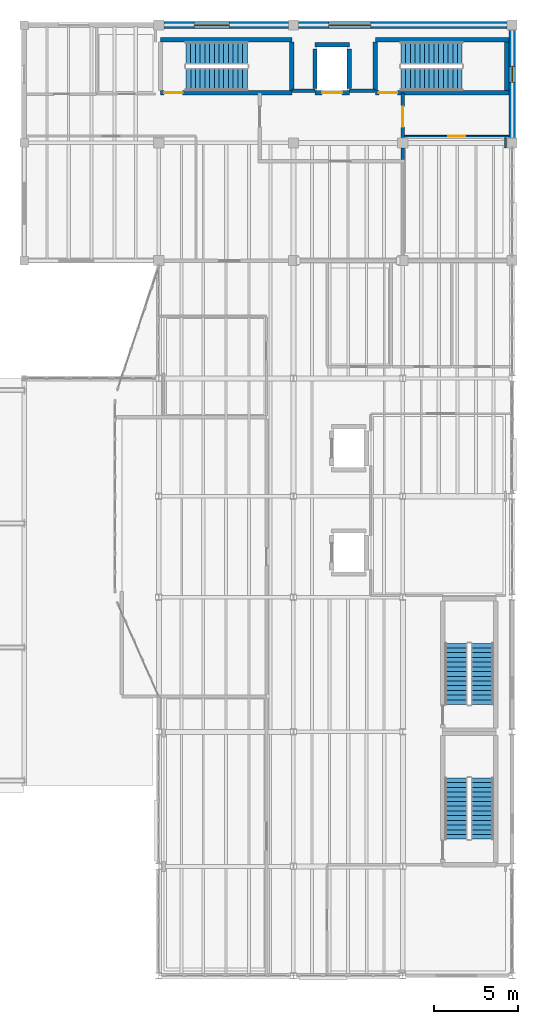
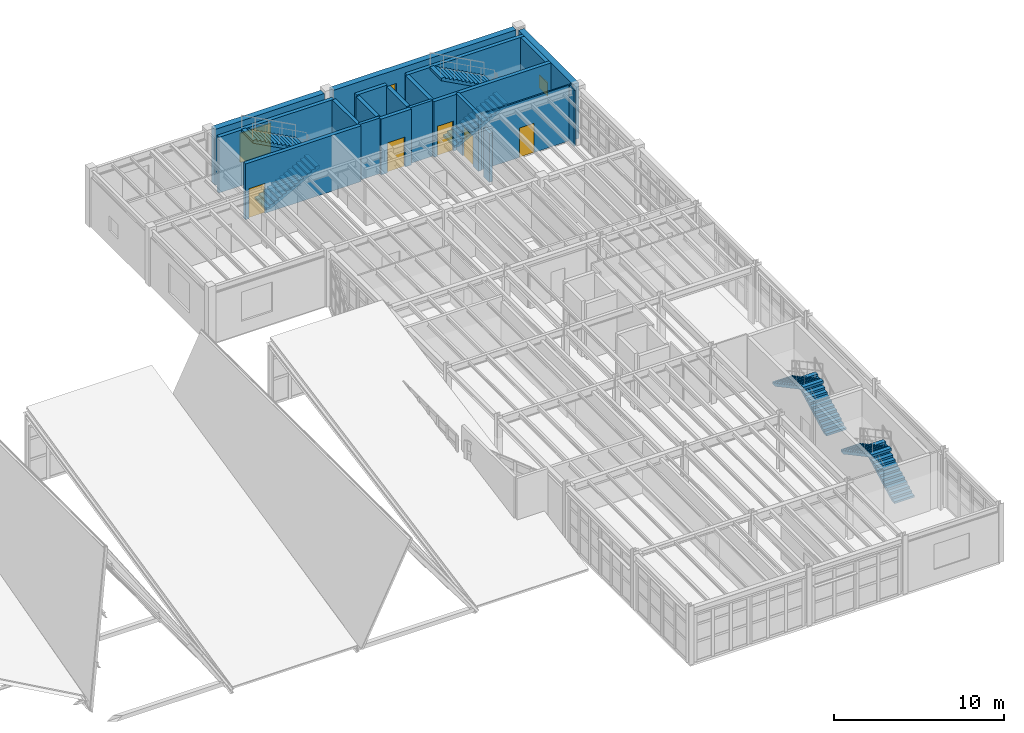
# One storey, part 74 of 77: 20 walls, 8 stair flights, 5 doors, 3 windows, 8 openings, 4 elements without a shape of their own.
"""IFC4 building model written with IfcOpenShell, lengths in metres."""

from ifc_helpers import new_model, si_unit, direction, frame, frame_2d, origin, place, context, subcontext, project, spatial, polyline, rectangle, outline, extrude, material, layer, layer_set, type_object, element, fill, aggregate, save


model = new_model("IFC4")

# Units and contexts
model_context = context("Model", 3, precision=1e-05, world=origin(), true_north=direction((0.0, 1.0)))
body_context = subcontext(model_context, "Body", "Model", "MODEL_VIEW")
ifc_project = project(units=[si_unit("LENGTHUNIT", "METRE"), si_unit("AREAUNIT", "SQUARE_METRE"), si_unit("VOLUMEUNIT", "CUBIC_METRE"), si_unit("PLANEANGLEUNIT", "RADIAN"), si_unit("MASSUNIT", "GRAM", prefix="KILO"), si_unit("THERMODYNAMICTEMPERATUREUNIT", "KELVIN"), si_unit("POWERUNIT", "WATT")], contexts=[model_context])

# Site, building, storey
site_placement = place(None, origin())
site = spatial("IfcSite", under=ifc_project, at=site_placement, CompositionType="ELEMENT")
building_placement = place(site_placement, origin())
building = spatial("IfcBuilding", under=site, at=building_placement, Name="Zhenchuan Central Fire Station", CompositionType="ELEMENT")
storey_placement = place(building_placement, frame((0.0, 0.0, 10.050048828125)))
storey = spatial("IfcBuildingStorey", under=building, at=storey_placement, Name="L03", CompositionType="ELEMENT", Elevation=10.050048828125)

# Wall, opening, window
ifc_material_1 = material(Name="Concrete C40/50", Category="concrete")
ifc_layer_1 = layer(ifc_material_1, 0.39990234375, Name="Concrete C40/50", Category="concrete")
ifc_layer_set_1 = layer_set([ifc_layer_1], Name="Concrete C40/50")
wall_type_1 = type_object("IfcWallType", Name="EW-RC400", PredefinedType="SHEAR", material=ifc_layer_set_1)
wall_1_placement = place(storey_placement, frame((140.300048828125, 56.5, 0.0), z_axis=(0.0, 0.0, 1.0), x_axis=(1.0, 0.0, 0.0)))
wall_1 = element("IfcWall", 1, at=wall_1_placement, inside=storey, type_object=wall_type_1, Name="EW-L03-V6N-1", PredefinedType="SHEAR", context=body_context, shape_type="SweptSolid", body=[
    extrude(rectangle(XDim=7.39990234375, YDim=0.39990234375, at=frame_2d((3.699951171875, 0.0))), origin(), (0.0, 0.0, 1.0), 4.0),
])
opening_1_placement = place(wall_1_placement, frame((1.800048828125, 0.0, 0.89990234375)))
opening_1 = element("IfcOpeningElement", 2, at=opening_1_placement, cuts=wall_1, Name="Opening W-36", PredefinedType="OPENING", context=body_context, shape_type="SweptSolid", body=[
    extrude(rectangle(XDim=2.10009765625, YDim=2.10009765625, at=frame_2d((1.050048828125, 1.050048828125))), frame((0.0, 0.2099609375, 0.0), z_axis=(0.0, -1.0, 0.0), x_axis=(1.0, 0.0, 0.0)), (0.0, 0.0, 1.0), 0.419921875),
])
ifc_material_2 = material(Name="Laminated low-E double glazing in aluminium frame", Category="aluminium")
window_type_1 = type_object("IfcWindowType", Name="WN-36", PartitioningType="SINGLE_PANEL", PredefinedType="WINDOW", material=ifc_material_2)
window_1_placement = place(opening_1_placement, origin())
window_1 = element("IfcWindow", 3, at=window_1_placement, inside=storey, type_object=window_type_1, Name="Exterior Window 0114", OverallHeight=2.10009765625, OverallWidth=2.10009765625, PartitioningType="SINGLE_PANEL", PredefinedType="WINDOW", context=body_context, shape_type="SweptSolid", body=[
    extrude(rectangle(XDim=2.10009765625, YDim=2.10009765625, at=frame_2d((1.050048828125, 1.050048828125))), frame((0.0, 0.030029296875, 0.0), z_axis=(0.0, -1.0, 0.0), x_axis=(1.0, 0.0, 0.0)), (0.0, 0.0, 1.0), 0.06005859375),
])
fill(opening_1, window_1)

wall_2_placement = place(storey_placement, frame((148.300048828125, 56.5, 0.0), z_axis=(0.0, 0.0, 1.0), x_axis=(1.0, 0.0, 0.0)))
wall_2 = element("IfcWall", 4, at=wall_2_placement, inside=storey, type_object=wall_type_1, Name="EW-L03-V6N-2", PredefinedType="SHEAR", context=body_context, shape_type="SweptSolid", body=[
    extrude(rectangle(XDim=12.39990234375, YDim=0.39990234375, at=frame_2d((6.199951171875, 0.0))), origin(), (0.0, 0.0, 1.0), 4.0),
])
opening_2_placement = place(wall_2_placement, frame((1.800048828125, 0.0, 0.89990234375)))
opening_2 = element("IfcOpeningElement", 5, at=opening_2_placement, cuts=wall_2, Name="Opening W-37", PredefinedType="OPENING", context=body_context, shape_type="SweptSolid", body=[
    extrude(rectangle(XDim=2.5, YDim=2.10009765625, at=frame_2d((1.25, 1.050048828125))), frame((0.0, 0.2099609375, 0.0), z_axis=(0.0, -1.0, 0.0), x_axis=(1.0, 0.0, 0.0)), (0.0, 0.0, 1.0), 0.419921875),
])
window_type_2 = type_object("IfcWindowType", Name="WN-37", PartitioningType="SINGLE_PANEL", PredefinedType="WINDOW", material=ifc_material_2)
window_2_placement = place(opening_2_placement, origin())
window_2 = element("IfcWindow", 6, at=window_2_placement, inside=storey, type_object=window_type_2, Name="Exterior Window 0115", OverallHeight=2.10009765625, OverallWidth=2.5, PartitioningType="SINGLE_PANEL", PredefinedType="WINDOW", context=body_context, shape_type="SweptSolid", body=[
    extrude(rectangle(XDim=2.5, YDim=2.10009765625, at=frame_2d((1.25, 1.050048828125))), frame((0.0, 0.030029296875, 0.0), z_axis=(0.0, -1.0, 0.0), x_axis=(1.0, 0.0, 0.0)), (0.0, 0.0, 1.0), 0.06005859375),
])
fill(opening_2, window_2)

wall_3_placement = place(storey_placement, frame((161.0, 49.800048828125, 0.0), z_axis=(0.0, 0.0, 1.0), x_axis=(0.0, 1.0, 0.0)))
wall_3 = element("IfcWall", 7, at=wall_3_placement, inside=storey, type_object=wall_type_1, Name="EW-L03-V6E-1", PredefinedType="SHEAR", context=body_context, shape_type="SweptSolid", body=[
    extrude(rectangle(XDim=6.39990234375, YDim=0.39990234375, at=frame_2d((3.199951171875, 0.0))), origin(), (0.0, 0.0, 1.0), 4.0),
])
opening_3_placement = place(wall_3_placement, frame((3.300048828125, 0.0, 1.10009765625)))
opening_3 = element("IfcOpeningElement", 8, at=opening_3_placement, cuts=wall_3, Name="Opening W-04", PredefinedType="OPENING", context=body_context, shape_type="SweptSolid", body=[
    extrude(rectangle(XDim=0.949951171875, YDim=0.949951171875, at=frame_2d((0.47509765625, 0.47509765625))), frame((0.0, 0.2099609375, 0.0), z_axis=(0.0, -1.0, 0.0), x_axis=(1.0, 0.0, 0.0)), (0.0, 0.0, 1.0), 0.419921875),
])
window_type_3 = type_object("IfcWindowType", Name="WN-04", PartitioningType="SINGLE_PANEL", PredefinedType="WINDOW", material=ifc_material_2)
window_3_placement = place(opening_3_placement, origin())
window_3 = element("IfcWindow", 9, at=window_3_placement, inside=storey, type_object=window_type_3, Name="Exterior Window 0116", OverallHeight=0.949951171875, OverallWidth=0.949951171875, PartitioningType="SINGLE_PANEL", PredefinedType="WINDOW", context=body_context, shape_type="SweptSolid", body=[
    extrude(rectangle(XDim=0.949951171875, YDim=0.949951171875, at=frame_2d((0.47509765625, 0.47509765625))), frame((0.0, 0.030029296875, 0.0), z_axis=(0.0, -1.0, 0.0), x_axis=(1.0, 0.0, 0.0)), (0.0, 0.0, 1.0), 0.06005859375),
])
fill(opening_3, window_3)

# Walls
ifc_material_3 = material(Name="Autoclaved aerated concrete blockwork", Category="masonry")
ifc_layer_2 = layer(ifc_material_3, 0.199951171875, Name="Autoclaved aerated concrete blockwork", Category="masonry")
ifc_layer_set_2 = layer_set([ifc_layer_2], Name="Autoclaved aerated concrete blockwork")
wall_type_2 = type_object("IfcWallType", Name="IW-FIR200", PredefinedType="PARTITIONING", material=ifc_layer_set_2)
wall_4_placement = place(storey_placement, frame((147.908935546875, 52.60009765625, 0.0), z_axis=(0.0, 0.0, 1.0), x_axis=(1.0, 0.0, 0.0)))
element("IfcWall", 10, at=wall_4_placement, inside=storey, type_object=wall_type_2, Name="L03 Firefighting Lobby North-West Infill Wall", PredefinedType="PARTITIONING", context=body_context, shape_type="SweptSolid", body=[
    extrude(rectangle(XDim=1.362060546875, YDim=0.199951171875, at=frame_2d((0.68115234375, 0.0))), origin(), (0.0, 0.0, 1.0), 4.0),
])
wall_5_placement = place(storey_placement, frame((151.3291015625, 52.60009765625, 0.0), z_axis=(0.0, 0.0, 1.0), x_axis=(1.0, 0.0, 0.0)))
element("IfcWall", 11, at=wall_5_placement, inside=storey, type_object=wall_type_2, Name="L03 Firefighting Lobby North-East Infill Wall", PredefinedType="PARTITIONING", context=body_context, shape_type="SweptSolid", body=[
    extrude(rectangle(XDim=1.531982421875, YDim=0.199951171875, at=frame_2d((0.76611328125, 0.0))), origin(), (0.0, 0.0, 1.0), 4.0),
])
wall_6_placement = place(storey_placement, frame((154.5, 48.50390625, 0.0), z_axis=(0.0, 0.0, 1.0), x_axis=(0.0, 1.0, 0.0)))
element("IfcWall", 12, at=wall_6_placement, inside=storey, type_object=wall_type_2, Name="L03 Firefighting Lift Lobby South-East Pier Wall", PredefinedType="PARTITIONING", context=body_context, shape_type="SweptSolid", body=[
    extrude(rectangle(XDim=0.692138671875, YDim=0.199951171875, at=frame_2d((0.34619140625, 0.0))), origin(), (0.0, 0.0, 1.0), 3.493896484375),
])

# Wall, opening, door
wall_7_placement = place(storey_placement, frame((154.5, 49.803955078125, 0.0), z_axis=(0.0, 0.0, 1.0), x_axis=(0.0, 1.0, 0.0)))
wall_7 = element("IfcWall", 13, at=wall_7_placement, inside=storey, type_object=wall_type_2, Name="L03 Firefighting Lift Lobby East Wall", PredefinedType="PARTITIONING", context=body_context, shape_type="SweptSolid", body=[
    extrude(rectangle(XDim=2.6669921875, YDim=0.199951171875, at=frame_2d((1.33349609375, 0.0))), origin(), (0.0, 0.0, 1.0), 4.0),
])
opening_4_placement = place(wall_7_placement, frame((0.64599609375, 0.0, 0.0)))
opening_4 = element("IfcOpeningElement", 14, at=opening_4_placement, cuts=wall_7, Name="Opening D-056", PredefinedType="OPENING", context=body_context, shape_type="SweptSolid", body=[
    extrude(rectangle(XDim=1.199951171875, YDim=2.14990234375, at=frame_2d((0.60009765625, 1.074951171875))), frame((0.0, 0.10986328125, 0.0), z_axis=(0.0, -1.0, 0.0), x_axis=(1.0, 0.0, 0.0)), (0.0, 0.0, 1.0), 0.219970703125),
])
ifc_material_4 = material(Name="Smoke-sealed steel fire lobby door", Category="steel")
door_type_1 = type_object("IfcDoorType", Name="ID-FFL-120x215", OperationType="NOTDEFINED", PredefinedType="DOOR", material=ifc_material_4)
door_1_placement = place(opening_4_placement, origin())
door_1 = element("IfcDoor", 15, at=door_1_placement, inside=storey, type_object=door_type_1, Name="L03 Firefighting Lift Lobby East Door", OperationType="SINGLE_SWING_RIGHT", OverallHeight=2.14990234375, OverallWidth=1.199951171875, PredefinedType="DOOR", context=body_context, shape_type="SweptSolid", body=[
    extrude(rectangle(XDim=1.199951171875, YDim=2.14990234375, at=frame_2d((0.60009765625, 1.074951171875))), frame((0.0, 0.02490234375, 0.0), z_axis=(0.0, -1.0, 0.0), x_axis=(1.0, 0.0, 0.0)), (0.0, 0.0, 1.0), 0.050048828125),
])
fill(opening_4, door_1)

ifc_material_5 = material(Name="Gypsum plasterboard on steel studs", Category="gypsum")
ifc_layer_3 = layer(ifc_material_5, 0.10009765625, Name="Gypsum plasterboard on steel studs", Category="gypsum")
ifc_layer_set_3 = layer_set([ifc_layer_3], Name="Gypsum plasterboard on steel studs")
wall_type_3 = type_object("IfcWallType", Name="IW-GYP100", PredefinedType="PARTITIONING", material=ifc_layer_set_3)
wall_8_placement = place(storey_placement, frame((154.60302734375, 49.89990234375, 0.0), z_axis=(0.0, 0.0, 1.0), x_axis=(1.0, 0.0, 0.0)))
wall_8 = element("IfcWall", 16, at=wall_8_placement, inside=storey, type_object=wall_type_3, Name="Standpipe Riser Tactical Bay N Partition", PredefinedType="PARTITIONING", context=body_context, shape_type="SweptSolid", body=[
    extrude(rectangle(XDim=6.194091796875, YDim=0.10009765625, at=frame_2d((3.09716796875, 0.0))), origin(), (0.0, 0.0, 1.0), 4.0),
])
opening_5_placement = place(wall_8_placement, frame((2.596923828125, 0.0, 0.0)))
opening_5 = element("IfcOpeningElement", 17, at=opening_5_placement, cuts=wall_8, Name="Opening D-168", PredefinedType="OPENING", context=body_context, shape_type="SweptSolid", body=[
    extrude(rectangle(XDim=1.0, YDim=2.10009765625, at=frame_2d((0.5, 1.050048828125))), frame((0.0, 0.06005859375, 0.0), z_axis=(0.0, -1.0, 0.0), x_axis=(1.0, 0.0, 0.0)), (0.0, 0.0, 1.0), 0.1201171875),
])
ifc_material_6 = material(Name="Solid-core timber office door", Category="wood")
door_type_2 = type_object("IfcDoorType", Name="ID-OFF-100x210", OperationType="NOTDEFINED", PredefinedType="DOOR", material=ifc_material_6)
door_2_placement = place(opening_5_placement, origin())
door_2 = element("IfcDoor", 18, at=door_2_placement, inside=storey, type_object=door_type_2, Name="Standpipe Riser Tactical Bay Door", OperationType="SINGLE_SWING_RIGHT", OverallHeight=2.10009765625, OverallWidth=1.0, PredefinedType="DOOR", context=body_context, shape_type="SweptSolid", body=[
    extrude(rectangle(XDim=1.0, YDim=2.10009765625, at=frame_2d((0.5, 1.050048828125))), frame((0.0, 0.02490234375, 0.0), z_axis=(0.0, -1.0, 0.0), x_axis=(1.0, 0.0, 0.0)), (0.0, 0.0, 1.0), 0.050048828125),
])
fill(opening_5, door_2)

# Wall
wall_9_placement = place(storey_placement, frame((160.60009765625, 49.202880859375, 0.0), z_axis=(0.0, 0.0, 1.0), x_axis=(0.0, 1.0, 0.0)))
element("IfcWall", 19, at=wall_9_placement, inside=storey, type_object=wall_type_3, Name="Standpipe Riser Tactical Bay E Partition", PredefinedType="PARTITIONING", context=body_context, shape_type="SweptSolid", body=[
    extrude(rectangle(XDim=0.59423828125, YDim=0.10009765625, at=frame_2d((0.297119140625, 0.0))), origin(), (0.0, 0.0, 1.0), 4.0),
])

# Wall, opening, door
ifc_layer_4 = layer(ifc_material_1, 0.25, Name="Concrete C40/50", Category="concrete")
ifc_layer_set_4 = layer_set([ifc_layer_4], Name="Concrete C40/50")
wall_type_4 = type_object("IfcWallType", Name="IW-SHR250", PredefinedType="SHEAR", material=ifc_layer_set_4)
wall_10_placement = place(storey_placement, frame((140.094970703125, 52.47509765625, 0.0), z_axis=(0.0, 0.0, 1.0), x_axis=(1.0, 0.0, 0.0)))
wall_10 = element("IfcWall", 20, at=wall_10_placement, inside=storey, type_object=wall_type_4, Name="ST-12 L03 South Core Wall", PredefinedType="SHEAR", context=body_context, shape_type="SweptSolid", body=[
    extrude(rectangle(XDim=7.81005859375, YDim=0.25, at=frame_2d((3.905029296875, 0.0))), origin(), (0.0, 0.0, 1.0), 4.0),
])
opening_6_placement = place(wall_10_placement, frame((0.219970703125, 0.0, 0.0)))
opening_6 = element("IfcOpeningElement", 21, at=opening_6_placement, cuts=wall_10, Name="Opening D-032", PredefinedType="OPENING", context=body_context, shape_type="SweptSolid", body=[
    extrude(rectangle(XDim=1.10009765625, YDim=2.14990234375, at=frame_2d((0.550048828125, 1.074951171875))), frame((0.0, 0.135009765625, 0.0), z_axis=(0.0, -1.0, 0.0), x_axis=(1.0, 0.0, 0.0)), (0.0, 0.0, 1.0), 0.27001953125),
])
ifc_material_7 = material(Name="Painted steel acoustic fire door", Category="steel")
door_type_3 = type_object("IfcDoorType", Name="ID-ST-110x215", OperationType="NOTDEFINED", PredefinedType="DOOR", material=ifc_material_7)
door_3_placement = place(opening_6_placement, frame((1.10009765625, 0.0, 0.0), z_axis=(0.0, 0.0, 1.0), x_axis=(-1.0, 0.0, 0.0)))
door_3 = element("IfcDoor", 22, at=door_3_placement, inside=storey, type_object=door_type_3, Name="ST-12 L03 Fire Door", OperationType="SINGLE_SWING_RIGHT", OverallHeight=2.14990234375, OverallWidth=1.10009765625, PredefinedType="DOOR", context=body_context, shape_type="SweptSolid", body=[
    extrude(rectangle(XDim=1.10009765625, YDim=2.14990234375, at=frame_2d((0.550048828125, 1.074951171875))), frame((0.0, 0.02490234375, 0.0), z_axis=(0.0, -1.0, 0.0), x_axis=(1.0, 0.0, 0.0)), (0.0, 0.0, 1.0), 0.050048828125),
])
fill(opening_6, door_3)

# Walls
wall_11_placement = place(storey_placement, frame((140.094970703125, 55.625, 0.0), z_axis=(0.0, 0.0, 1.0), x_axis=(1.0, 0.0, 0.0)))
element("IfcWall", 23, at=wall_11_placement, inside=storey, type_object=wall_type_4, Name="ST-12 L03 North Core Wall", PredefinedType="SHEAR", context=body_context, shape_type="SweptSolid", body=[
    extrude(rectangle(XDim=7.81005859375, YDim=0.25, at=frame_2d((3.905029296875, 0.0))), origin(), (0.0, 0.0, 1.0), 4.0),
])
wall_12_placement = place(storey_placement, frame((147.905029296875, 52.60009765625, 0.0), z_axis=(0.0, 0.0, 1.0), x_axis=(0.0, 1.0, 0.0)))
element("IfcWall", 24, at=wall_12_placement, inside=storey, type_object=wall_type_4, Name="ST-12 L03 East Core Wall", PredefinedType="SHEAR", context=body_context, shape_type="SweptSolid", body=[
    extrude(rectangle(XDim=2.89990234375, YDim=0.25, at=frame_2d((1.449951171875, 0.0))), origin(), (0.0, 0.0, 1.0), 4.0),
])

# Wall, opening, door
wall_13_placement = place(storey_placement, frame((152.864990234375, 52.47509765625, 0.0), z_axis=(0.0, 0.0, 1.0), x_axis=(1.0, 0.0, 0.0)))
wall_13 = element("IfcWall", 25, at=wall_13_placement, inside=storey, type_object=wall_type_4, Name="ST-13 L03 South Core Wall", PredefinedType="SHEAR", context=body_context, shape_type="SweptSolid", body=[
    extrude(rectangle(XDim=7.93505859375, YDim=0.25, at=frame_2d((3.967529296875, 0.0))), origin(), (0.0, 0.0, 1.0), 4.0),
])
opening_7_placement = place(wall_13_placement, frame((0.219970703125, 0.0, 0.0)))
opening_7 = element("IfcOpeningElement", 26, at=opening_7_placement, cuts=wall_13, Name="Opening D-038", PredefinedType="OPENING", context=body_context, shape_type="SweptSolid", body=[
    extrude(rectangle(XDim=1.10009765625, YDim=2.14990234375, at=frame_2d((0.550048828125, 1.074951171875))), frame((0.0, 0.135009765625, 0.0), z_axis=(0.0, -1.0, 0.0), x_axis=(1.0, 0.0, 0.0)), (0.0, 0.0, 1.0), 0.27001953125),
])
door_4_placement = place(opening_7_placement, frame((1.10009765625, 0.0, 0.0), z_axis=(0.0, 0.0, 1.0), x_axis=(-1.0, 0.0, 0.0)))
door_4 = element("IfcDoor", 27, at=door_4_placement, inside=storey, type_object=door_type_3, Name="ST-13 L03 Fire Door", OperationType="SINGLE_SWING_RIGHT", OverallHeight=2.14990234375, OverallWidth=1.10009765625, PredefinedType="DOOR", context=body_context, shape_type="SweptSolid", body=[
    extrude(rectangle(XDim=1.10009765625, YDim=2.14990234375, at=frame_2d((0.550048828125, 1.074951171875))), frame((0.0, 0.02490234375, 0.0), z_axis=(0.0, -1.0, 0.0), x_axis=(1.0, 0.0, 0.0)), (0.0, 0.0, 1.0), 0.050048828125),
])
fill(opening_7, door_4)

# Walls
wall_14_placement = place(storey_placement, frame((152.864990234375, 55.625, 0.0), z_axis=(0.0, 0.0, 1.0), x_axis=(1.0, 0.0, 0.0)))
element("IfcWall", 28, at=wall_14_placement, inside=storey, type_object=wall_type_4, Name="ST-13 L03 North Core Wall", PredefinedType="SHEAR", context=body_context, shape_type="SweptSolid", body=[
    extrude(rectangle(XDim=7.93505859375, YDim=0.25, at=frame_2d((3.967529296875, 0.0))), origin(), (0.0, 0.0, 1.0), 4.0),
])
for number, where, z_axis, x_axis, name in (
    (29, (152.864990234375, 52.60009765625, 0.0), (0.0, 0.0, 1.0), (0.0, 1.0, 0.0), "ST-13 L03 West Core Wall"),
    (30, (160.675048828125, 52.60009765625, 0.0), (0.0, 0.0, 1.0), (0.0, 1.0, 0.0), "ST-13 L03 East Core Wall"),
):
    element("IfcWall", number, at=place(storey_placement, frame(where, z_axis=z_axis, x_axis=x_axis)), inside=storey, type_object=wall_type_4, Name=name, PredefinedType="SHEAR", context=body_context, shape_type="SweptSolid", body=[
        extrude(rectangle(XDim=2.89990234375, YDim=0.25, at=frame_2d((1.449951171875, 0.0))), origin(), (0.0, 0.0, 1.0), 4.0),
    ])

# Wall, opening, door
wall_15_placement = place(storey_placement, frame((149.27490234375, 52.47509765625, 0.0), z_axis=(0.0, 0.0, 1.0), x_axis=(1.0, 0.0, 0.0)))
wall_15 = element("IfcWall", 31, at=wall_15_placement, inside=storey, type_object=wall_type_4, Name="Lift FL-01 L03 South Shaft Wall", PredefinedType="SHEAR", context=body_context, shape_type="SweptSolid", body=[
    extrude(rectangle(XDim=2.050048828125, YDim=0.25, at=frame_2d((1.02490234375, 0.0))), origin(), (0.0, 0.0, 1.0), 4.0),
])
opening_8_placement = place(wall_15_placement, frame((0.425048828125, 0.0, 0.0)))
opening_8 = element("IfcOpeningElement", 32, at=opening_8_placement, cuts=wall_15, Name="Opening LD-003", PredefinedType="OPENING", context=body_context, shape_type="SweptSolid", body=[
    extrude(rectangle(XDim=1.199951171875, YDim=2.14990234375, at=frame_2d((0.60009765625, 1.074951171875))), frame((0.0, 0.135009765625, 0.0), z_axis=(0.0, -1.0, 0.0), x_axis=(1.0, 0.0, 0.0)), (0.0, 0.0, 1.0), 0.27001953125),
])
ifc_material_8 = material(Name="Brushed stainless steel sliding landing door", Category="steel")
door_type_4 = type_object("IfcDoorType", Name="ID-LD-120x215", OperationType="NOTDEFINED", PredefinedType="DOOR", material=ifc_material_8)
door_5_placement = place(opening_8_placement, origin())
door_5 = element("IfcDoor", 33, at=door_5_placement, inside=storey, type_object=door_type_4, Name="Lift FL-01 L03 Sliding Landing Door", OperationType="DOUBLE_DOOR_SLIDING", OverallHeight=2.14990234375, OverallWidth=1.199951171875, PredefinedType="DOOR", context=body_context, shape_type="SweptSolid", body=[
    extrude(rectangle(XDim=1.199951171875, YDim=2.14990234375, at=frame_2d((0.60009765625, 1.074951171875))), frame((0.0, 0.02490234375, 0.0), z_axis=(0.0, -1.0, 0.0), x_axis=(1.0, 0.0, 0.0)), (0.0, 0.0, 1.0), 0.050048828125),
])
fill(opening_8, door_5)

# Walls
wall_16_placement = place(storey_placement, frame((149.27490234375, 55.324951171875, 0.0), z_axis=(0.0, 0.0, 1.0), x_axis=(1.0, 0.0, 0.0)))
element("IfcWall", 34, at=wall_16_placement, inside=storey, type_object=wall_type_4, Name="Lift FL-01 L03 North Shaft Wall", PredefinedType="SHEAR", context=body_context, shape_type="SweptSolid", body=[
    extrude(rectangle(XDim=2.050048828125, YDim=0.25, at=frame_2d((1.02490234375, 0.0))), origin(), (0.0, 0.0, 1.0), 4.0),
])
for number, where, z_axis, x_axis, name in (
    (35, (149.27490234375, 52.72509765625, 0.0), (0.0, 0.0, 1.0), (0.0, 1.0, 0.0), "Lift FL-01 L03 West Shaft Wall"),
    (36, (151.324951171875, 52.72509765625, 0.0), (0.0, 0.0, 1.0), (0.0, 1.0, 0.0), "Lift FL-01 L03 East Shaft Wall"),
):
    element("IfcWall", number, at=place(storey_placement, frame(where, z_axis=z_axis, x_axis=x_axis)), inside=storey, type_object=wall_type_4, Name=name, PredefinedType="SHEAR", context=body_context, shape_type="SweptSolid", body=[
        extrude(rectangle(XDim=2.349853515625, YDim=0.25, at=frame_2d((1.1748046875, 0.0))), origin(), (0.0, 0.0, 1.0), 4.0),
    ])

# Stair, stair flights
ifc_material_9 = material(Name="Concrete C35/45", Category="concrete")
stair_type = type_object("IfcStairType", Name="ST-CORE-TYP", PredefinedType="HALF_TURN_STAIR", material=ifc_material_9)
stair_1_placement = place(storey_placement, origin())
stair_1 = element("IfcStair", 37, at=stair_1_placement, inside=storey, type_object=stair_type, Name="L03 Headquarters South Exit Stair", PredefinedType="HALF_TURN_STAIR")
stair_flight_type = type_object("IfcStairFlightType", Name="SFL-CORE-TYP", PredefinedType="STRAIGHT", material=ifc_material_9)
stair_flight_1_placement = place(storey_placement, frame((159.22509765625, 8.1201171875, 0.0), z_axis=(0.0, 0.0, 1.0), x_axis=(0.0, 1.0, 0.0)))
stair_flight_1 = element("IfcStairFlight", 38, at=stair_flight_1_placement, type_object=stair_flight_type, Name="ST-10 flight 1", NumberOfRisers=14, NumberOfTreads=13, PredefinedType="STRAIGHT", RiserHeight=0.15, TreadLength=0.28, context=body_context, shape_type="SweptSolid", body=[
    extrude(outline(polyline([(0.0, 0.0), (0.0, 0.14990234375), (0.280029296875, 0.14990234375), (0.280029296875, 0.300048828125), (0.56005859375, 0.300048828125), (0.56005859375, 0.449951171875), (0.840087890625, 0.449951171875), (0.840087890625, 0.60009765625), (1.1201171875, 0.60009765625), (1.1201171875, 0.75), (1.39990234375, 0.75), (1.39990234375, 0.89990234375), (1.679931640625, 0.89990234375), (1.679931640625, 1.050048828125), (1.9599609375, 1.050048828125), (1.9599609375, 1.199951171875), (2.239990234375, 1.199951171875), (2.239990234375, 1.35009765625), (2.52001953125, 1.35009765625), (2.52001953125, 1.5), (2.800048828125, 1.5), (2.800048828125, 1.64990234375), (3.080078125, 1.64990234375), (3.080078125, 1.800048828125), (3.360107421875, 1.800048828125), (3.360107421875, 1.949951171875), (3.639892578125, 1.949951171875), (3.639892578125, 2.10009765625), (3.639892578125, 1.7685546875), (0.338623046875, 0.0), (0.0, 0.0)])), frame((0.0, 0.675048828125, 0.0), z_axis=(0.0, -1.0, 0.0), x_axis=(1.0, 0.0, 0.0)), (0.0, 0.0, 1.0), 1.35009765625),
])
stair_flight_2_placement = place(storey_placement, frame((157.675048828125, 11.760009765625, 2.099853515625), z_axis=(0.0, 0.0, 1.0), x_axis=(0.0, -1.0, 0.0)))
stair_flight_2 = element("IfcStairFlight", 39, at=stair_flight_2_placement, type_object=stair_flight_type, Name="ST-10 flight 2", NumberOfRisers=14, NumberOfTreads=13, PredefinedType="STRAIGHT", RiserHeight=0.15, TreadLength=0.28, context=body_context, shape_type="SweptSolid", body=[
    extrude(outline(polyline([(0.0, 0.0), (0.0, 0.14990234375), (0.280029296875, 0.14990234375), (0.280029296875, 0.300048828125), (0.56005859375, 0.300048828125), (0.56005859375, 0.449951171875), (0.840087890625, 0.449951171875), (0.840087890625, 0.60009765625), (1.1201171875, 0.60009765625), (1.1201171875, 0.75), (1.39990234375, 0.75), (1.39990234375, 0.89990234375), (1.679931640625, 0.89990234375), (1.679931640625, 1.050048828125), (1.9599609375, 1.050048828125), (1.9599609375, 1.199951171875), (2.239990234375, 1.199951171875), (2.239990234375, 1.35009765625), (2.52001953125, 1.35009765625), (2.52001953125, 1.5), (2.800048828125, 1.5), (2.800048828125, 1.64990234375), (3.080078125, 1.64990234375), (3.080078125, 1.800048828125), (3.360107421875, 1.800048828125), (3.360107421875, 1.949951171875), (3.639892578125, 1.949951171875), (3.639892578125, 2.10009765625), (3.639892578125, 1.7685546875), (0.338623046875, 0.0), (0.0, 0.0)])), frame((0.0, 0.675048828125, 0.0), z_axis=(0.0, -1.0, 0.0), x_axis=(1.0, 0.0, 0.0)), (0.0, 0.0, 1.0), 1.35009765625),
])
aggregate(stair_1, [stair_flight_1, stair_flight_2])

stair_2_placement = place(storey_placement, origin())
stair_2 = element("IfcStair", 40, at=stair_2_placement, inside=storey, type_object=stair_type, Name="L03 Headquarters North Exit Stair", PredefinedType="HALF_TURN_STAIR")
stair_flight_3_placement = place(storey_placement, frame((159.22509765625, 16.1201171875, 0.0), z_axis=(0.0, 0.0, 1.0), x_axis=(0.0, 1.0, 0.0)))
stair_flight_3 = element("IfcStairFlight", 41, at=stair_flight_3_placement, type_object=stair_flight_type, Name="ST-11 flight 1", NumberOfRisers=14, NumberOfTreads=13, PredefinedType="STRAIGHT", RiserHeight=0.15, TreadLength=0.28, context=body_context, shape_type="SweptSolid", body=[
    extrude(outline(polyline([(0.0, 0.0), (0.0, 0.14990234375), (0.280029296875, 0.14990234375), (0.280029296875, 0.300048828125), (0.56005859375, 0.300048828125), (0.56005859375, 0.449951171875), (0.840087890625, 0.449951171875), (0.840087890625, 0.60009765625), (1.1201171875, 0.60009765625), (1.1201171875, 0.75), (1.39990234375, 0.75), (1.39990234375, 0.89990234375), (1.679931640625, 0.89990234375), (1.679931640625, 1.050048828125), (1.9599609375, 1.050048828125), (1.9599609375, 1.199951171875), (2.239990234375, 1.199951171875), (2.239990234375, 1.35009765625), (2.52001953125, 1.35009765625), (2.52001953125, 1.5), (2.800048828125, 1.5), (2.800048828125, 1.64990234375), (3.080078125, 1.64990234375), (3.080078125, 1.800048828125), (3.360107421875, 1.800048828125), (3.360107421875, 1.949951171875), (3.639892578125, 1.949951171875), (3.639892578125, 2.10009765625), (3.639892578125, 1.7685546875), (0.338623046875, 0.0), (0.0, 0.0)])), frame((0.0, 0.675048828125, 0.0), z_axis=(0.0, -1.0, 0.0), x_axis=(1.0, 0.0, 0.0)), (0.0, 0.0, 1.0), 1.35009765625),
])
stair_flight_4_placement = place(storey_placement, frame((157.675048828125, 19.760009765625, 2.099853515625), z_axis=(0.0, 0.0, 1.0), x_axis=(0.0, -1.0, 0.0)))
stair_flight_4 = element("IfcStairFlight", 42, at=stair_flight_4_placement, type_object=stair_flight_type, Name="ST-11 flight 2", NumberOfRisers=14, NumberOfTreads=13, PredefinedType="STRAIGHT", RiserHeight=0.15, TreadLength=0.28, context=body_context, shape_type="SweptSolid", body=[
    extrude(outline(polyline([(0.0, 0.0), (0.0, 0.14990234375), (0.280029296875, 0.14990234375), (0.280029296875, 0.300048828125), (0.56005859375, 0.300048828125), (0.56005859375, 0.449951171875), (0.840087890625, 0.449951171875), (0.840087890625, 0.60009765625), (1.1201171875, 0.60009765625), (1.1201171875, 0.75), (1.39990234375, 0.75), (1.39990234375, 0.89990234375), (1.679931640625, 0.89990234375), (1.679931640625, 1.050048828125), (1.9599609375, 1.050048828125), (1.9599609375, 1.199951171875), (2.239990234375, 1.199951171875), (2.239990234375, 1.35009765625), (2.52001953125, 1.35009765625), (2.52001953125, 1.5), (2.800048828125, 1.5), (2.800048828125, 1.64990234375), (3.080078125, 1.64990234375), (3.080078125, 1.800048828125), (3.360107421875, 1.800048828125), (3.360107421875, 1.949951171875), (3.639892578125, 1.949951171875), (3.639892578125, 2.10009765625), (3.639892578125, 1.7685546875), (0.338623046875, 0.0), (0.0, 0.0)])), frame((0.0, 0.675048828125, 0.0), z_axis=(0.0, -1.0, 0.0), x_axis=(1.0, 0.0, 0.0)), (0.0, 0.0, 1.0), 1.35009765625),
])
aggregate(stair_2, [stair_flight_3, stair_flight_4])

stair_3_placement = place(storey_placement, origin())
stair_3 = element("IfcStair", 43, at=stair_3_placement, inside=storey, type_object=stair_type, Name="L03 Drill Tower West Exit Stair", PredefinedType="HALF_TURN_STAIR")
stair_flight_5_placement = place(storey_placement, frame((141.6201171875, 53.27490234375, 0.0), z_axis=(0.0, 0.0, 1.0), x_axis=(1.0, 0.0, 0.0)))
stair_flight_5 = element("IfcStairFlight", 44, at=stair_flight_5_placement, type_object=stair_flight_type, Name="ST-12 flight 1", NumberOfRisers=14, NumberOfTreads=13, PredefinedType="STRAIGHT", RiserHeight=0.15, TreadLength=0.28, context=body_context, shape_type="SweptSolid", body=[
    extrude(outline(polyline([(0.0, 0.0), (0.0, 0.14990234375), (0.280029296875, 0.14990234375), (0.280029296875, 0.300048828125), (0.56005859375, 0.300048828125), (0.56005859375, 0.449951171875), (0.840087890625, 0.449951171875), (0.840087890625, 0.60009765625), (1.1201171875, 0.60009765625), (1.1201171875, 0.75), (1.39990234375, 0.75), (1.39990234375, 0.89990234375), (1.679931640625, 0.89990234375), (1.679931640625, 1.050048828125), (1.9599609375, 1.050048828125), (1.9599609375, 1.199951171875), (2.239990234375, 1.199951171875), (2.239990234375, 1.35009765625), (2.52001953125, 1.35009765625), (2.52001953125, 1.5), (2.800048828125, 1.5), (2.800048828125, 1.64990234375), (3.080078125, 1.64990234375), (3.080078125, 1.800048828125), (3.360107421875, 1.800048828125), (3.360107421875, 1.949951171875), (3.639892578125, 1.949951171875), (3.639892578125, 2.10009765625), (3.639892578125, 1.7685546875), (0.338623046875, 0.0), (0.0, 0.0)])), frame((0.0, 0.675048828125, 0.0), z_axis=(0.0, -1.0, 0.0), x_axis=(1.0, 0.0, 0.0)), (0.0, 0.0, 1.0), 1.35009765625),
])
stair_flight_6_placement = place(storey_placement, frame((145.260009765625, 54.824951171875, 2.099853515625), z_axis=(0.0, 0.0, 1.0), x_axis=(-1.0, 0.0, 0.0)))
stair_flight_6 = element("IfcStairFlight", 45, at=stair_flight_6_placement, type_object=stair_flight_type, Name="ST-12 flight 2", NumberOfRisers=14, NumberOfTreads=13, PredefinedType="STRAIGHT", RiserHeight=0.15, TreadLength=0.28, context=body_context, shape_type="SweptSolid", body=[
    extrude(outline(polyline([(0.0, 0.0), (0.0, 0.14990234375), (0.280029296875, 0.14990234375), (0.280029296875, 0.300048828125), (0.56005859375, 0.300048828125), (0.56005859375, 0.449951171875), (0.840087890625, 0.449951171875), (0.840087890625, 0.60009765625), (1.1201171875, 0.60009765625), (1.1201171875, 0.75), (1.39990234375, 0.75), (1.39990234375, 0.89990234375), (1.679931640625, 0.89990234375), (1.679931640625, 1.050048828125), (1.9599609375, 1.050048828125), (1.9599609375, 1.199951171875), (2.239990234375, 1.199951171875), (2.239990234375, 1.35009765625), (2.52001953125, 1.35009765625), (2.52001953125, 1.5), (2.800048828125, 1.5), (2.800048828125, 1.64990234375), (3.080078125, 1.64990234375), (3.080078125, 1.800048828125), (3.360107421875, 1.800048828125), (3.360107421875, 1.949951171875), (3.639892578125, 1.949951171875), (3.639892578125, 2.10009765625), (3.639892578125, 1.7685546875), (0.338623046875, 0.0), (0.0, 0.0)])), frame((0.0, 0.675048828125, 0.0), z_axis=(0.0, -1.0, 0.0), x_axis=(1.0, 0.0, 0.0)), (0.0, 0.0, 1.0), 1.35009765625),
])
aggregate(stair_3, [stair_flight_5, stair_flight_6])

stair_4_placement = place(storey_placement, origin())
stair_4 = element("IfcStair", 46, at=stair_4_placement, inside=storey, type_object=stair_type, Name="L03 Drill Tower East Exit Stair", PredefinedType="HALF_TURN_STAIR")
stair_flight_7_placement = place(storey_placement, frame((154.389892578125, 53.27490234375, 0.0), z_axis=(0.0, 0.0, 1.0), x_axis=(1.0, 0.0, 0.0)))
stair_flight_7 = element("IfcStairFlight", 47, at=stair_flight_7_placement, type_object=stair_flight_type, Name="ST-13 flight 1", NumberOfRisers=14, NumberOfTreads=13, PredefinedType="STRAIGHT", RiserHeight=0.15, TreadLength=0.28, context=body_context, shape_type="SweptSolid", body=[
    extrude(outline(polyline([(0.0, 0.0), (0.0, 0.14990234375), (0.280029296875, 0.14990234375), (0.280029296875, 0.300048828125), (0.56005859375, 0.300048828125), (0.56005859375, 0.449951171875), (0.840087890625, 0.449951171875), (0.840087890625, 0.60009765625), (1.1201171875, 0.60009765625), (1.1201171875, 0.75), (1.39990234375, 0.75), (1.39990234375, 0.89990234375), (1.679931640625, 0.89990234375), (1.679931640625, 1.050048828125), (1.9599609375, 1.050048828125), (1.9599609375, 1.199951171875), (2.239990234375, 1.199951171875), (2.239990234375, 1.35009765625), (2.52001953125, 1.35009765625), (2.52001953125, 1.5), (2.800048828125, 1.5), (2.800048828125, 1.64990234375), (3.080078125, 1.64990234375), (3.080078125, 1.800048828125), (3.360107421875, 1.800048828125), (3.360107421875, 1.949951171875), (3.639892578125, 1.949951171875), (3.639892578125, 2.10009765625), (3.639892578125, 1.7685546875), (0.338623046875, 0.0), (0.0, 0.0)])), frame((0.0, 0.675048828125, 0.0), z_axis=(0.0, -1.0, 0.0), x_axis=(1.0, 0.0, 0.0)), (0.0, 0.0, 1.0), 1.35009765625),
])
stair_flight_8_placement = place(storey_placement, frame((158.030029296875, 54.824951171875, 2.099853515625), z_axis=(0.0, 0.0, 1.0), x_axis=(-1.0, 0.0, 0.0)))
stair_flight_8 = element("IfcStairFlight", 48, at=stair_flight_8_placement, type_object=stair_flight_type, Name="ST-13 flight 2", NumberOfRisers=14, NumberOfTreads=13, PredefinedType="STRAIGHT", RiserHeight=0.15, TreadLength=0.28, context=body_context, shape_type="SweptSolid", body=[
    extrude(outline(polyline([(0.0, 0.0), (0.0, 0.14990234375), (0.280029296875, 0.14990234375), (0.280029296875, 0.300048828125), (0.56005859375, 0.300048828125), (0.56005859375, 0.449951171875), (0.840087890625, 0.449951171875), (0.840087890625, 0.60009765625), (1.1201171875, 0.60009765625), (1.1201171875, 0.75), (1.39990234375, 0.75), (1.39990234375, 0.89990234375), (1.679931640625, 0.89990234375), (1.679931640625, 1.050048828125), (1.9599609375, 1.050048828125), (1.9599609375, 1.199951171875), (2.239990234375, 1.199951171875), (2.239990234375, 1.35009765625), (2.52001953125, 1.35009765625), (2.52001953125, 1.5), (2.800048828125, 1.5), (2.800048828125, 1.64990234375), (3.080078125, 1.64990234375), (3.080078125, 1.800048828125), (3.360107421875, 1.800048828125), (3.360107421875, 1.949951171875), (3.639892578125, 1.949951171875), (3.639892578125, 2.10009765625), (3.639892578125, 1.7685546875), (0.338623046875, 0.0), (0.0, 0.0)])), frame((0.0, 0.675048828125, 0.0), z_axis=(0.0, -1.0, 0.0), x_axis=(1.0, 0.0, 0.0)), (0.0, 0.0, 1.0), 1.35009765625),
])
aggregate(stair_4, [stair_flight_7, stair_flight_8])

save(model, "model.ifc")
